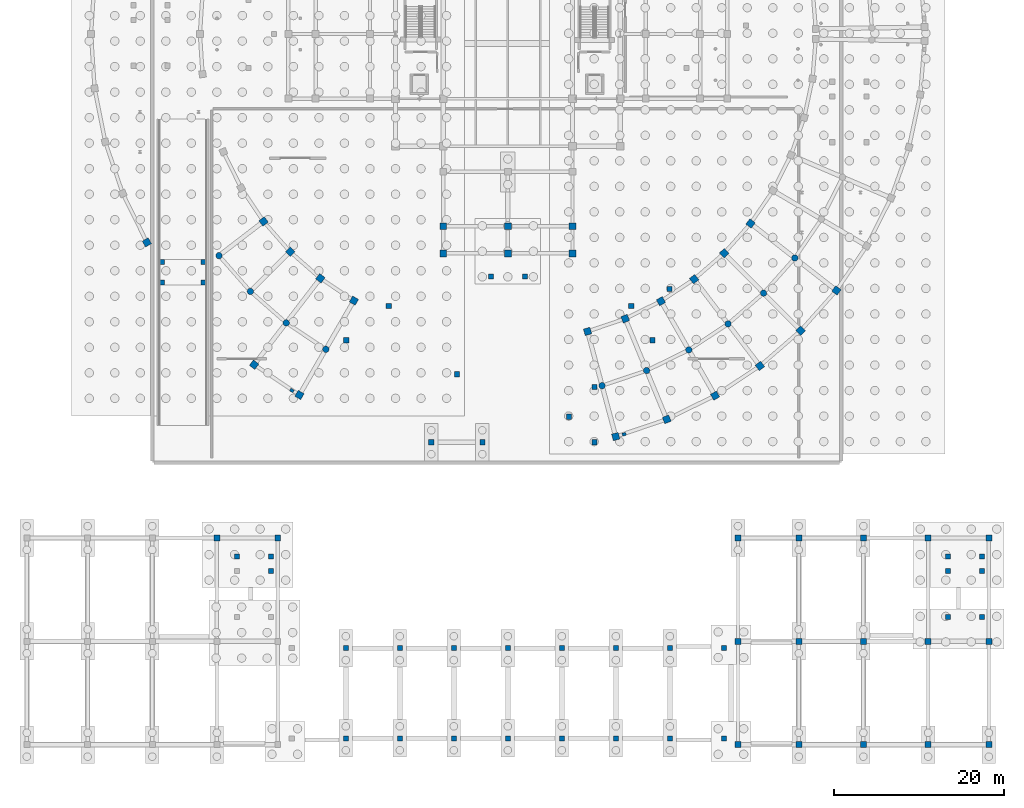
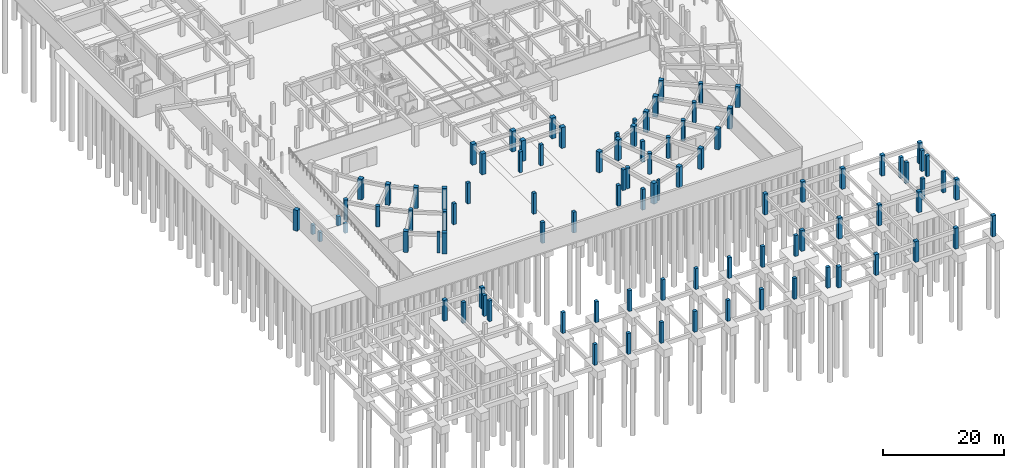
# One storey, part 7 of 33: 96 columns.
"""IFC4 building model written with IfcOpenShell, lengths in metres."""

from ifc_helpers import new_model, si_unit, direction, frame, origin, origin_2d, place, context, subcontext, project, spatial, rectangle, circle, extrude, material, material_profile, profile_set, type_object, element, save


model = new_model("IFC4")

# Units and contexts
model_context = context("Model", 3, precision=1e-05, world=origin(), true_north=direction((0.0, 1.0)))
body_context = subcontext(model_context, "Body", "Model", "MODEL_VIEW")
ifc_project = project(units=[si_unit("LENGTHUNIT", "METRE"), si_unit("AREAUNIT", "SQUARE_METRE"), si_unit("VOLUMEUNIT", "CUBIC_METRE"), si_unit("PLANEANGLEUNIT", "RADIAN"), si_unit("MASSUNIT", "GRAM", prefix="KILO")], contexts=[model_context])

# Site, building, storey
site_placement = place(None, origin())
site = spatial("IfcSite", under=ifc_project, at=site_placement, CompositionType="ELEMENT")
building_placement = place(site_placement, origin())
building = spatial("IfcBuilding", under=site, at=building_placement, Name="Saryqyr Civic Hall", CompositionType="ELEMENT")
storey_placement = place(building_placement, frame((0.0, 0.0, -4.199951171875)))
storey = spatial("IfcBuildingStorey", under=building, at=storey_placement, Name="B1", CompositionType="ELEMENT", Elevation=-4.199951171875)

# Columns
ifc_material_1 = material(Name="Concrete C40/50", Category="concrete")
ifc_material_profile_1 = material_profile(ifc_material_1, rectangle(XDim=0.60009765625, YDim=0.60009765625, at=origin_2d()), Name="RC 600x600")
ifc_profile_set_1 = profile_set([ifc_material_profile_1], Name="Concrete C40/50")
column_type_1 = type_object("IfcColumnType", Name="STR-COL-RC600-C40", PredefinedType="COLUMN", material=ifc_profile_set_1)
for number, where, z_axis, x_axis, name in (
    (1, (37.949951171875, 1.199951171875, 0.0), (0.0, 0.0, 1.0), (1.0, 0.0, 0.0), "Column V7C-COL-21-B1"),
    (2, (37.949951171875, 11.800048828125, 0.0), (0.0, 0.0, 1.0), (1.0, 0.0, 0.0), "Column V7C-COL-22-B1"),
    (3, (44.300048828125, 1.199951171875, 0.0), (0.0, 0.0, 1.0), (1.0, 0.0, 0.0), "Column V7C-COL-31-B1"),
    (4, (44.300048828125, 11.800048828125, 0.0), (0.0, 0.0, 1.0), (1.0, 0.0, 0.0), "Column V7C-COL-32-B1"),
    (5, (50.64990234375, 1.199951171875, 0.0), (0.0, 0.0, 1.0), (1.0, 0.0, 0.0), "Column V7C-COL-41-B1"),
    (6, (50.64990234375, 11.800048828125, 0.0), (0.0, 0.0, 1.0), (1.0, 0.0, 0.0), "Column V7C-COL-42-B1"),
    (7, (57.0, 1.199951171875, 0.0), (0.0, 0.0, 1.0), (1.0, 0.0, 0.0), "Column V7C-COL-51-B1"),
    (8, (57.0, 11.800048828125, 0.0), (0.0, 0.0, 1.0), (1.0, 0.0, 0.0), "Column V7C-COL-52-B1"),
    (9, (63.35009765625, 1.199951171875, 0.0), (0.0, 0.0, 1.0), (1.0, 0.0, 0.0), "Column V7C-COL-61-B1"),
    (10, (63.35009765625, 11.800048828125, 0.0), (0.0, 0.0, 1.0), (1.0, 0.0, 0.0), "Column V7C-COL-62-B1"),
    (11, (69.699951171875, 1.199951171875, 0.0), (0.0, 0.0, 1.0), (1.0, 0.0, 0.0), "Column V7C-COL-71-B1"),
    (12, (69.699951171875, 11.800048828125, 0.0), (0.0, 0.0, 1.0), (1.0, 0.0, 0.0), "Column V7C-COL-72-B1"),
    (13, (76.050048828125, 1.199951171875, 0.0), (0.0, 0.0, 1.0), (1.0, 0.0, 0.0), "Column V7C-COL-81-B1"),
    (14, (76.050048828125, 11.800048828125, 0.0), (0.0, 0.0, 1.0), (1.0, 0.0, 0.0), "Column V7C-COL-82-B1"),
    (15, (82.39990234375, 1.199951171875, 0.0), (0.0, 0.0, 1.0), (1.0, 0.0, 0.0), "Column V7C-COL-91-B1"),
    (16, (82.39990234375, 11.800048828125, 0.0), (0.0, 0.0, 1.0), (1.0, 0.0, 0.0), "Column V7C-COL-92-B1"),
    (17, (29.139892578125, 20.85009765625, 0.0), (0.0, 0.0, 1.0), (1.0, 0.0, 0.0), "Column ST-7-SCOL-LND1A-B1"),
    (18, (29.139892578125, 22.580078125, 0.0), (0.0, 0.0, 1.0), (1.0, 0.0, 0.0), "Column ST-7-SCOL-LND2A-B1"),
    (19, (25.159912109375, 22.580078125, 0.0), (0.0, 0.0, 1.0), (1.0, 0.0, 0.0), "Column ST-7-SCOL-LND2B-B1"),
    (20, (112.739990234375, 15.465087890625, 0.0), (0.0, 0.0, 1.0), (1.0, 0.0, 0.0), "Column ST-8-SCOL-TRMA-B1"),
    (21, (108.760009765625, 15.465087890625, 0.0), (0.0, 0.0, 1.0), (1.0, 0.0, 0.0), "Column ST-8-SCOL-TRMB-B1"),
    (22, (112.739990234375, 20.85009765625, 0.0), (0.0, 0.0, 1.0), (1.0, 0.0, 0.0), "Column ST-8-SCOL-LND1A-B1"),
    (23, (108.760009765625, 20.85009765625, 0.0), (0.0, 0.0, 1.0), (1.0, 0.0, 0.0), "Column ST-8-SCOL-LND1B-B1"),
    (24, (112.739990234375, 22.580078125, 0.0), (0.0, 0.0, 1.0), (1.0, 0.0, 0.0), "Column ST-8-SCOL-LND2A-B1"),
    (25, (108.760009765625, 22.580078125, 0.0), (0.0, 0.0, 1.0), (1.0, 0.0, 0.0), "Column ST-8-SCOL-LND2B-B1"),
    (26, (38.0, 48.0, 0.0), (0.0, 0.0, 1.0), (1.0, 0.0, 0.0), "Column V2-XCOL-07-B1"),
    (27, (43.0, 52.0, 0.0), (0.0, 0.0, 1.0), (1.0, 0.0, 0.0), "Column V2-XCOL-08-B1"),
    (28, (48.0, 36.0, 0.0), (0.0, 0.0, 1.0), (1.0, 0.0, 0.0), "Column V2-XCOL-10-B1"),
    (29, (54.0, 36.0, 0.0), (0.0, 0.0, 1.0), (1.0, 0.0, 0.0), "Column V2-XCOL-11-B1"),
    (30, (51.0, 44.0, 0.0), (0.0, 0.0, 1.0), (1.0, 0.0, 0.0), "Column V2-XCOL-12-B1"),
    (31, (71.5, 52.0, 0.0), (0.0, 0.0, 1.0), (1.0, 0.0, 0.0), "Column V2-XCOL-13-B1"),
    (32, (76.0, 54.0, 0.0), (0.0, 0.0, 1.0), (1.0, 0.0, 0.0), "Column V2-XCOL-14-B1"),
    (33, (74.0, 48.0, 0.0), (0.0, 0.0, 1.0), (1.0, 0.0, 0.0), "Column V2-XCOL-15-B1"),
    (34, (67.199951171875, 36.0, 0.0), (0.0, 0.0, 1.0), (1.0, 0.0, 0.0), "Column V2-XCOL-25-B1"),
    (35, (67.199951171875, 42.5, 0.0), (0.0, 0.0, 1.0), (1.0, 0.0, 0.0), "Column V2-XCOL-26-B1"),
    (36, (64.199951171875, 39.0, 0.0), (0.0, 0.0, 1.0), (1.0, 0.0, 0.0), "Column V2-XCOL-27-B1"),
    (37, (55.0, 55.5, 0.0), (0.0, 0.0, 1.0), (1.0, 0.0, 0.0), "Column V2-XCOL-31-B1"),
    (38, (59.0, 55.5, 0.0), (0.0, 0.0, 1.0), (1.0, 0.0, 0.0), "Column V2-XCOL-32-B1"),
):
    element("IfcColumn", number, at=place(storey_placement, frame(where, z_axis=z_axis, x_axis=x_axis)), inside=storey, type_object=column_type_1, Name=name, PredefinedType="COLUMN", context=body_context, shape_type="SweptSolid", body=[
        extrude(rectangle(XDim=0.60009765625, YDim=0.60009765625, at=origin_2d()), origin(), (0.0, 0.0, 1.0), 4.199951171875),
    ])
for number, where, z_axis, x_axis, name in (
    (39, (16.35009765625, 54.800048828125, 0.0), (0.0, 0.0, 1.0), (1.0, 0.0, 0.0), "Column RAMP-LCOL-1"),
    (40, (21.25, 54.800048828125, 0.0), (0.0, 0.0, 1.0), (1.0, 0.0, 0.0), "Column RAMP-LCOL-2"),
    (41, (21.25, 57.199951171875, 0.0), (0.0, 0.0, 1.0), (1.0, 0.0, 0.0), "Column RAMP-LCOL-3"),
    (42, (16.35009765625, 57.199951171875, 0.0), (0.0, 0.0, 1.0), (1.0, 0.0, 0.0), "Column RAMP-LCOL-4"),
):
    element("IfcColumn", number, at=place(storey_placement, frame(where, z_axis=z_axis, x_axis=x_axis)), inside=storey, type_object=column_type_1, Name=name, PredefinedType="COLUMN", context=body_context, shape_type="SweptSolid", body=[
        extrude(rectangle(XDim=0.60009765625, YDim=0.60009765625, at=origin_2d()), origin(), (0.0, 0.0, 1.0), 1.89990234375),
    ])
ifc_material_profile_2 = material_profile(ifc_material_1, rectangle(XDim=0.699951171875, YDim=0.699951171875, at=origin_2d()), Name="RC 700x700")
ifc_profile_set_2 = profile_set([ifc_material_profile_2], Name="Concrete C40/50")
column_type_2 = type_object("IfcColumnType", Name="STR-COL-RC700-C40", PredefinedType="COLUMN", material=ifc_profile_set_2)
for number, where, z_axis, x_axis, name in (
    (43, (22.800048828125, 24.75, 0.0), (0.0, 0.0, 1.0), (1.0, 0.0, 0.0), "Column V7W-COL-43-B1"),
    (44, (29.949951171875, 24.75, 0.0), (0.0, 0.0, 1.0), (1.0, 0.0, 0.0), "Column V7W-COL-53-B1"),
    (45, (84.050048828125, 0.449951171875, 0.0), (0.0, 0.0, 1.0), (1.0, 0.0, 0.0), "Column V7E-COL-11-B1"),
    (46, (84.050048828125, 12.60009765625, 0.0), (0.0, 0.0, 1.0), (1.0, 0.0, 0.0), "Column V7E-COL-12-B1"),
    (47, (84.050048828125, 24.75, 0.0), (0.0, 0.0, 1.0), (1.0, 0.0, 0.0), "Column V7E-COL-13-B1"),
    (48, (91.199951171875, 0.449951171875, 0.0), (0.0, 0.0, 1.0), (1.0, 0.0, 0.0), "Column V7E-COL-21-B1"),
    (49, (91.199951171875, 12.60009765625, 0.0), (0.0, 0.0, 1.0), (1.0, 0.0, 0.0), "Column V7E-COL-22-B1"),
    (50, (91.199951171875, 24.75, 0.0), (0.0, 0.0, 1.0), (1.0, 0.0, 0.0), "Column V7E-COL-23-B1"),
    (51, (98.800048828125, 0.449951171875, 0.0), (0.0, 0.0, 1.0), (1.0, 0.0, 0.0), "Column V7E-COL-31-B1"),
    (52, (98.800048828125, 12.60009765625, 0.0), (0.0, 0.0, 1.0), (1.0, 0.0, 0.0), "Column V7E-COL-32-B1"),
    (53, (98.800048828125, 24.75, 0.0), (0.0, 0.0, 1.0), (1.0, 0.0, 0.0), "Column V7E-COL-33-B1"),
    (54, (106.39990234375, 0.449951171875, 0.0), (0.0, 0.0, 1.0), (1.0, 0.0, 0.0), "Column V7E-COL-41-B1"),
    (55, (106.39990234375, 12.60009765625, 0.0), (0.0, 0.0, 1.0), (1.0, 0.0, 0.0), "Column V7E-COL-42-B1"),
    (56, (106.39990234375, 24.75, 0.0), (0.0, 0.0, 1.0), (1.0, 0.0, 0.0), "Column V7E-COL-43-B1"),
    (57, (113.550048828125, 0.449951171875, 0.0), (0.0, 0.0, 1.0), (1.0, 0.0, 0.0), "Column V7E-COL-51-B1"),
    (58, (113.550048828125, 12.60009765625, 0.0), (0.0, 0.0, 1.0), (1.0, 0.0, 0.0), "Column V7E-COL-52-B1"),
    (59, (113.550048828125, 24.75, 0.0), (0.0, 0.0, 1.0), (1.0, 0.0, 0.0), "Column V7E-COL-53-B1"),
):
    element("IfcColumn", number, at=place(storey_placement, frame(where, z_axis=z_axis, x_axis=x_axis)), inside=storey, type_object=column_type_2, Name=name, PredefinedType="COLUMN", context=body_context, shape_type="SweptSolid", body=[
        extrude(rectangle(XDim=0.699951171875, YDim=0.699951171875, at=origin_2d()), origin(), (0.0, 0.0, 1.0), 4.199951171875),
    ])
ifc_material_profile_3 = material_profile(ifc_material_1, rectangle(XDim=0.800048828125, YDim=0.800048828125, at=origin_2d()), Name="RC 800x800")
ifc_profile_set_3 = profile_set([ifc_material_profile_3], Name="Concrete C40/50")
column_type_3 = type_object("IfcColumnType", Name="STR-COL-RC800-C40", PredefinedType="COLUMN", material=ifc_profile_set_3)
for number, where, z_axis, x_axis, name in (
    (60, (49.39990234375, 61.39990234375, 0.0), (0.0, 0.0, 1.0), (1.0, 0.0, 0.0), "Column V1-COL-S1P07-B1"),
    (61, (57.0, 61.39990234375, 0.0), (0.0, 0.0, 1.0), (1.0, 0.0, 0.0), "Column V1-COL-S1P08-B1"),
    (62, (64.60009765625, 61.39990234375, 0.0), (0.0, 0.0, 1.0), (1.0, 0.0, 0.0), "Column V1-COL-S1P09-B1"),
    (63, (49.39990234375, 58.199951171875, 0.0), (0.0, 0.0, 1.0), (1.0, 0.0, 0.0), "Column V1-COL-S0P07-B1"),
    (64, (57.0, 58.199951171875, 0.0), (0.0, 0.0, 1.0), (1.0, 0.0, 0.0), "Column V1-COL-S0P08-B1"),
    (65, (64.60009765625, 58.199951171875, 0.0), (0.0, 0.0, 1.0), (1.0, 0.0, 0.0), "Column V1-COL-S0P09-B1"),
    (66, (14.564697265625, 59.5, 0.0), (0.0, 0.0, 1.0), (-0.866025403784, -0.5, 0.0), "Column V4-COL-OUT06-B1"),
    (67, (28.280517578125, 61.962890625, 0.0), (0.0, 0.0, 1.0), (-0.793353340291, -0.608761429009, 0.0), "Column V4-COL-IN07-B1"),
    (68, (31.402587890625, 58.402587890625, 0.0), (0.0, 0.0, 1.0), (-0.707106781187, -0.707106781187, 0.0), "Column V4-COL-IN08-B1"),
    (69, (34.962890625, 55.280517578125, 0.0), (0.0, 0.0, 1.0), (-0.608761429009, -0.793353340291, 0.0), "Column V4-COL-IN09-B1"),
    (70, (27.170654296875, 45.125732421875, 0.0), (0.0, 0.0, 1.0), (-0.608761429009, -0.793353340291, 0.0), "Column V4-COL-OUT09-B1"),
    (71, (38.89990234375, 52.64990234375, 0.0), (0.0, 0.0, 1.0), (-0.5, -0.866025403784, 0.0), "Column V4-COL-IN10-B1"),
    (72, (32.5, 41.564697265625, 0.0), (0.0, 0.0, 1.0), (-0.5, -0.866025403784, 0.0), "Column V4-COL-OUT10-B1"),
    (73, (66.369140625, 49.033447265625, 0.0), (0.0, 0.0, 1.0), (0.258819045103, -0.965925826289, 0.0), "Column V5-COL-IN00-B1"),
    (74, (69.68212890625, 36.669677734375, 0.0), (0.0, 0.0, 1.0), (0.258819045103, -0.965925826289, 0.0), "Column V5-COL-OUT00-B1"),
    (75, (70.797607421875, 50.53271484375, 0.0), (0.0, 0.0, 1.0), (0.38107037635, -0.924546033612, 0.0), "Column V5-COL-IN01-B1"),
    (76, (75.676513671875, 38.698974609375, 0.0), (0.0, 0.0, 1.0), (0.38107037635, -0.924546033612, 0.0), "Column V5-COL-OUT01-B1"),
    (77, (74.995849609375, 52.590087890625, 0.0), (0.0, 0.0, 1.0), (0.4971254071, -0.867678701833, 0.0), "Column V5-COL-IN02-B1"),
    (78, (81.359130859375, 41.483642578125, 0.0), (0.0, 0.0, 1.0), (0.4971254071, -0.867678701833, 0.0), "Column V5-COL-OUT02-B1"),
    (79, (78.89404296875, 55.17138671875, 0.0), (0.0, 0.0, 1.0), (0.604877119416, -0.796318824597, 0.0), "Column V5-COL-IN03-B1"),
    (80, (86.635498046875, 44.977783203125, 0.0), (0.0, 0.0, 1.0), (0.604877119416, -0.796318824597, 0.0), "Column V5-COL-OUT03-B1"),
    (81, (82.427001953125, 58.2333984375, 0.0), (0.0, 0.0, 1.0), (0.70240155419, -0.711780904964, 0.0), "Column V5-COL-IN04-B1"),
    (82, (91.417724609375, 49.122802734375, 0.0), (0.0, 0.0, 1.0), (0.70240155419, -0.711780904964, 0.0), "Column V5-COL-OUT04-B1"),
    (83, (85.53564453125, 61.7255859375, 0.0), (0.0, 0.0, 1.0), (0.78822561199, -0.615386370179, 0.0), "Column V5-COL-IN05-B1"),
    (84, (95.625732421875, 53.849365234375, 0.0), (0.0, 0.0, 1.0), (0.78822561199, -0.615386370179, 0.0), "Column V5-COL-OUT05-B1"),
):
    element("IfcColumn", number, at=place(storey_placement, frame(where, z_axis=z_axis, x_axis=x_axis)), inside=storey, type_object=column_type_3, Name=name, PredefinedType="COLUMN", context=body_context, shape_type="SweptSolid", body=[
        extrude(rectangle(XDim=0.800048828125, YDim=0.800048828125, at=origin_2d()), origin(), (0.0, 0.0, 1.0), 4.199951171875),
    ])
ifc_material_profile_4 = material_profile(ifc_material_1, circle(Radius=0.375, at=origin_2d()), Name="RC D750")
ifc_profile_set_4 = profile_set([ifc_material_profile_4], Name="Concrete C40/50")
column_type_4 = type_object("IfcColumnType", Name="STR-COL-RCD750-INT", PredefinedType="COLUMN", material=ifc_profile_set_4)
for number, where, z_axis, x_axis, name in (
    (85, (23.04443359375, 57.945068359375, 0.0), (0.0, 0.0, 1.0), (-0.793353340291, -0.608761429009, 0.0), "Column V4-COL-MID07-B1"),
    (86, (26.73583984375, 53.73583984375, 0.0), (0.0, 0.0, 1.0), (-0.707106781187, -0.707106781187, 0.0), "Column V4-COL-MID08-B1"),
    (87, (30.945068359375, 50.04443359375, 0.0), (0.0, 0.0, 1.0), (-0.608761429009, -0.793353340291, 0.0), "Column V4-COL-MID09-B1"),
    (88, (35.60009765625, 46.93408203125, 0.0), (0.0, 0.0, 1.0), (-0.5, -0.866025403784, 0.0), "Column V4-COL-MID10-B1"),
    (89, (68.077392578125, 42.658447265625, 0.0), (0.0, 0.0, 1.0), (0.258819045103, -0.965925826289, 0.0), "Column V5-COL-MID00-B1"),
    (90, (73.313232421875, 44.430908203125, 0.0), (0.0, 0.0, 1.0), (0.38107037635, -0.924546033612, 0.0), "Column V5-COL-MID01-B1"),
    (91, (78.277099609375, 46.86328125, 0.0), (0.0, 0.0, 1.0), (0.4971254071, -0.867678701833, 0.0), "Column V5-COL-MID02-B1"),
    (92, (82.8857421875, 49.915283203125, 0.0), (0.0, 0.0, 1.0), (0.604877119416, -0.796318824597, 0.0), "Column V5-COL-MID03-B1"),
    (93, (87.062744140625, 53.535888671875, 0.0), (0.0, 0.0, 1.0), (0.70240155419, -0.711780904964, 0.0), "Column V5-COL-MID04-B1"),
    (94, (90.73828125, 57.664306640625, 0.0), (0.0, 0.0, 1.0), (0.78822561199, -0.615386370179, 0.0), "Column V5-COL-MID05-B1"),
):
    element("IfcColumn", number, at=place(storey_placement, frame(where, z_axis=z_axis, x_axis=x_axis)), inside=storey, type_object=column_type_4, Name=name, PredefinedType="COLUMN", context=body_context, shape_type="SweptSolid", body=[
        extrude(circle(Radius=0.375, at=origin_2d()), origin(), (0.0, 0.0, 1.0), 4.199951171875),
    ])
ifc_material_2 = material(Name="Concrete C35/45", Category="concrete")
ifc_material_profile_5 = material_profile(ifc_material_2, rectangle(XDim=0.35009765625, YDim=0.449951171875, at=origin_2d()), Name="RC 350x450")
ifc_profile_set_5 = profile_set([ifc_material_profile_5], Name="Concrete C35/45")
column_type_5 = type_object("IfcColumnType", Name="STR-PIL-RC350x450-EXT", PredefinedType="PILASTER", material=ifc_profile_set_5)
for number, where, z_axis, x_axis, name in (
    (95, (31.61669921875, 42.087158203125, 0.0), (0.0, 0.0, 1.0), (-0.5, -0.866025403784, 0.0), "Column V4-PIL-10-B1"),
    (96, (70.670654296875, 36.945556640625, 0.0), (0.0, 0.0, 1.0), (0.258819045103, -0.965925826289, 0.0), "Column V5-PIL-00-B1"),
):
    element("IfcColumn", number, at=place(storey_placement, frame(where, z_axis=z_axis, x_axis=x_axis)), inside=storey, type_object=column_type_5, Name=name, PredefinedType="PILASTER", context=body_context, shape_type="SweptSolid", body=[
        extrude(rectangle(XDim=0.35009765625, YDim=0.449951171875, at=origin_2d()), origin(), (0.0, 0.0, 1.0), 4.199951171875),
    ])

save(model, "model.ifc")
